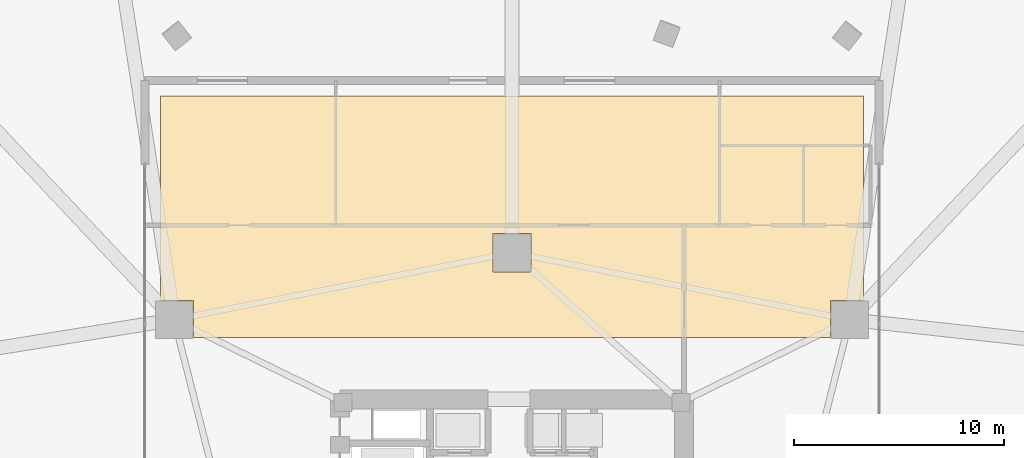
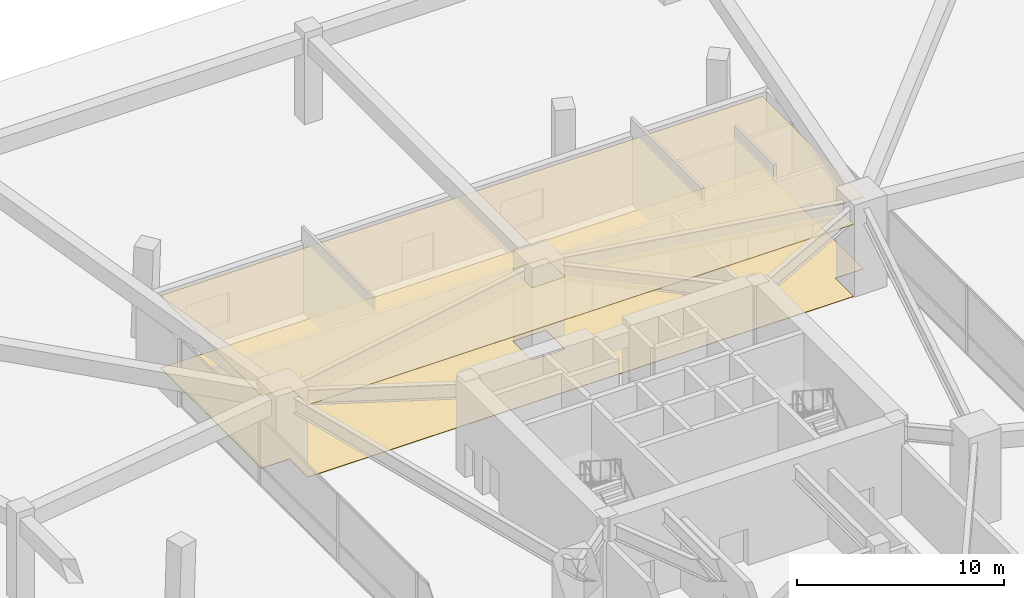
# One storey, part 18 of 19: 2 coverings.
"""IFC4 building model written with IfcOpenShell, lengths in metres."""

from ifc_helpers import new_model, si_unit, direction, frame, origin, place, context, subcontext, project, spatial, polyline, outline, extrude, material, layer, layer_set, type_object, element, save


model = new_model("IFC4")

# Units and contexts
model_context = context("Model", 3, precision=1e-05, world=origin(), true_north=direction((0.0, 1.0)))
body_context = subcontext(model_context, "Body", "Model", "MODEL_VIEW")
ifc_project = project(units=[si_unit("LENGTHUNIT", "METRE"), si_unit("AREAUNIT", "SQUARE_METRE"), si_unit("VOLUMEUNIT", "CUBIC_METRE"), si_unit("PLANEANGLEUNIT", "RADIAN"), si_unit("MASSUNIT", "GRAM", prefix="KILO")], contexts=[model_context])

# Site, building, storey
site_placement = place(None, origin())
site = spatial("IfcSite", under=ifc_project, at=site_placement, CompositionType="ELEMENT")
building_placement = place(site_placement, origin())
building = spatial("IfcBuilding", under=site, at=building_placement, Name="Talyreon Biosciences Tower", CompositionType="ELEMENT")
storey_placement = place(building_placement, origin())
storey = spatial("IfcBuildingStorey", under=building, at=storey_placement, Name="L00", CompositionType="ELEMENT", Elevation=0.0)

# Coverings
ifc_material_1 = material(Name="Cleanable acoustic mineral-fibre ceiling tile", Category="gypsum")
ifc_layer_1 = layer(ifc_material_1, 0.0400390625)
ifc_layer_set_1 = layer_set([ifc_layer_1], Name="Cleanable acoustic mineral-fibre ceiling tile")
covering_type_1 = type_object("IfcCoveringType", Name="AcousticCleanroomCeiling_40", PredefinedType="CEILING", material=ifc_layer_set_1)
covering_1_placement = place(storey_placement, frame((0.0, 0.0, 4.239990234375)))
element("IfcCovering", 1, at=covering_1_placement, inside=storey, type_object=covering_type_1, Name="L00 Acoustic Laboratory Ceiling", PredefinedType="CEILING", context=body_context, shape_type="SweptSolid", body=[
    extrude(outline(polyline([(82.75, 89.25), (82.75, 79.513671875), (81.1875, 79.513671875), (81.1875, 77.75), (50.8125, 77.75), (50.8125, 79.513671875), (49.25, 79.513671875), (49.25, 89.25), (82.75, 89.25)]), holes=[polyline([(65.0849609375, 80.873779296875), (66.9150390625, 80.873779296875), (66.9150390625, 82.703857421875), (65.0849609375, 82.703857421875), (65.0849609375, 80.873779296875)])]), origin(), (0.0, 0.0, 1.0), 0.0400390625),
])
ifc_material_2 = material(Name="Polished limestone terrazzo flooring", Category="masonry")
ifc_layer_2 = layer(ifc_material_2, 0.02490234375)
ifc_layer_set_2 = layer_set([ifc_layer_2], Name="Polished limestone terrazzo flooring")
covering_type_2 = type_object("IfcCoveringType", Name="TerrazzoPublicFlooring_25", PredefinedType="FLOORING", material=ifc_layer_set_2)
covering_2_placement = place(storey_placement, origin())
element("IfcCovering", 2, at=covering_2_placement, inside=storey, type_object=covering_type_2, Name="L00 Laboratory Floor Finish", PredefinedType="FLOORING", context=body_context, shape_type="SweptSolid", body=[
    extrude(outline(polyline([(82.75, 89.25), (82.75, 79.513671875), (81.1875, 79.513671875), (81.1875, 77.75), (50.8125, 77.75), (50.8125, 79.513671875), (49.25, 79.513671875), (49.25, 89.25), (82.75, 89.25)]), holes=[polyline([(65.0849609375, 80.873779296875), (66.9150390625, 80.873779296875), (66.9150390625, 82.703857421875), (65.0849609375, 82.703857421875), (65.0849609375, 80.873779296875)])]), origin(), (0.0, 0.0, 1.0), 0.02490234375),
])

save(model, "model.ifc")
